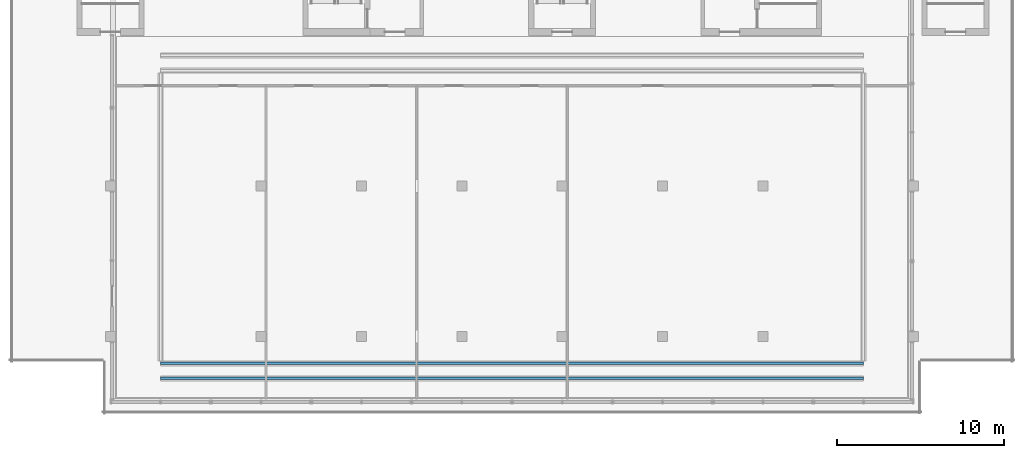
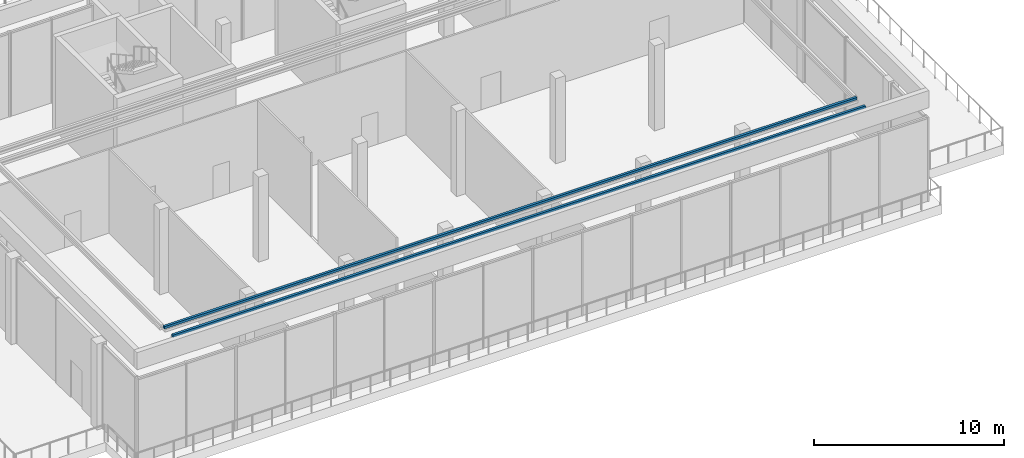
# One storey, part 3 of 11: 2 members.
"""IFC4 building model written with IfcOpenShell, lengths in metres."""

from ifc_helpers import new_model, si_unit, direction, frame, origin, origin_2d, place, context, subcontext, project, spatial, rectangle, extrude, material, material_profile, profile_set, type_object, element, save


model = new_model("IFC4")

# Units and contexts
model_context = context("Model", 3, precision=1e-05, world=origin(), true_north=direction((0.0, 1.0)))
body_context = subcontext(model_context, "Body", "Model", "MODEL_VIEW")
ifc_project = project(units=[si_unit("LENGTHUNIT", "METRE"), si_unit("AREAUNIT", "SQUARE_METRE"), si_unit("VOLUMEUNIT", "CUBIC_METRE"), si_unit("PLANEANGLEUNIT", "RADIAN"), si_unit("MASSUNIT", "GRAM", prefix="KILO")], contexts=[model_context])

# Site, building, storey
site_placement = place(None, origin())
site = spatial("IfcSite", under=ifc_project, at=site_placement, CompositionType="ELEMENT")
building_placement = place(site_placement, origin())
building = spatial("IfcBuilding", under=site, at=building_placement, Name="Calvaro Tower", CompositionType="ELEMENT")
storey_placement = place(building_placement, frame((0.0, 0.0, 271.949951171875)))
storey = spatial("IfcBuildingStorey", under=building, at=storey_placement, Name="L68", CompositionType="ELEMENT", Elevation=271.949951171875)

# Members
ifc_material = material(Name="Steel S355", Category="steel")
ifc_material_profile = material_profile(ifc_material, rectangle(XDim=0.14990234375, YDim=0.14990234375, at=origin_2d()), Name="BMU rail 150")
ifc_profile_set = profile_set([ifc_material_profile], Name="Steel S355")
member_type = type_object("IfcMemberType", Name="BMU rail 150", PredefinedType="USERDEFINED", material=ifc_profile_set)
for number, where, z_axis, x_axis, name in (
    (1, (15.0, 7.5, 6.22509765625), (1.0, 0.0, 0.0), (0.0, 1.0, 0.0), "BMU rail"),
    (2, (15.0, 8.39990234375, 6.22509765625), (1.0, 0.0, 0.0), (0.0, 1.0, 0.0), "BMU rail"),
):
    element("IfcMember", number, at=place(storey_placement, frame(where, z_axis=z_axis, x_axis=x_axis)), inside=storey, type_object=member_type, Name=name, ObjectType="BMU RAIL", PredefinedType="USERDEFINED", context=body_context, shape_type="SweptSolid", body=[
        extrude(rectangle(XDim=0.14990234375, YDim=0.14990234375, at=origin_2d()), origin(), (0.0, 0.0, 1.0), 42.0),
    ])

save(model, "model.ifc")
